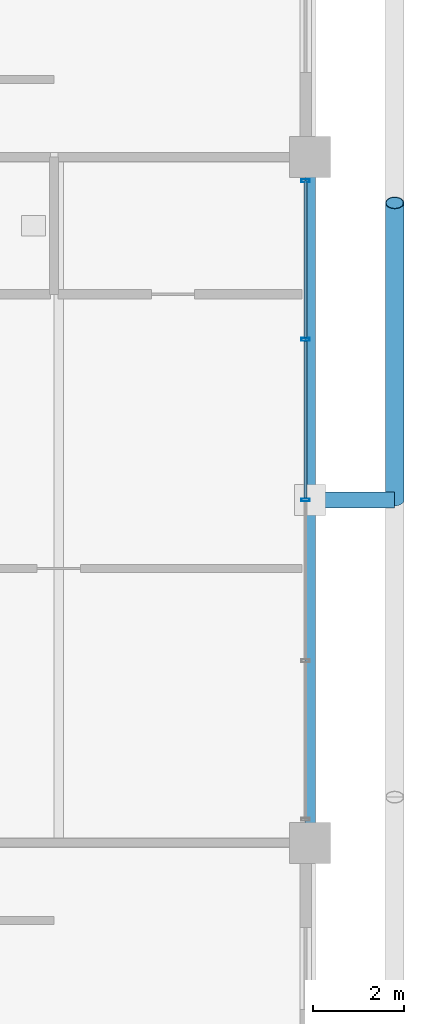
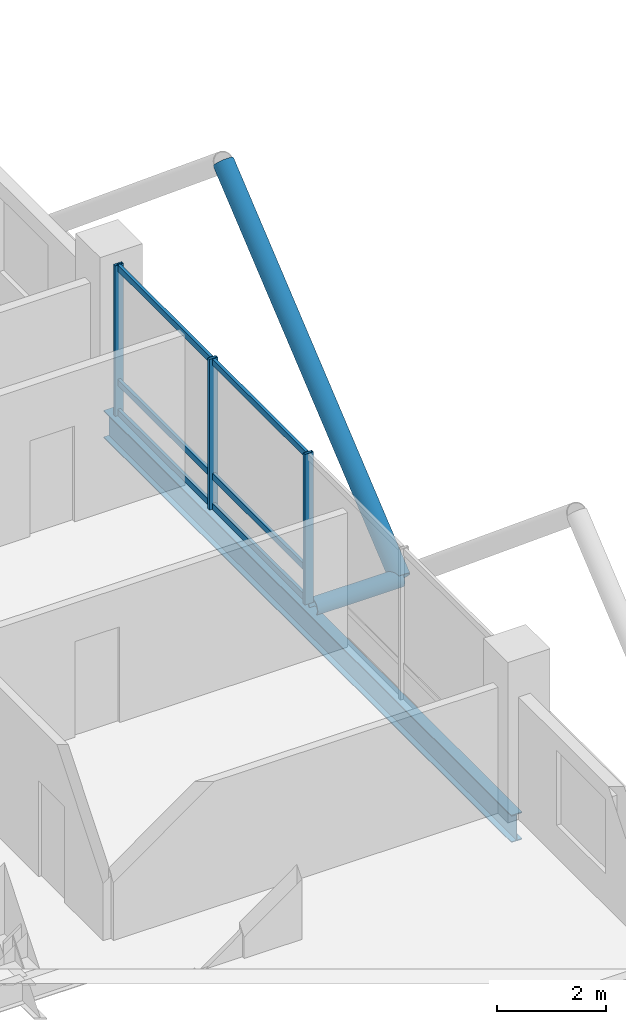
# One storey, part 13 of 24: 11 members, 1 beam, 1 element without a shape of its own.
"""IFC4 building model written with IfcOpenShell, lengths in metres."""

from ifc_helpers import new_model, si_unit, direction, frame, origin, origin_2d, place, context, subcontext, project, spatial, hollow_rectangle, hollow_circle, i_section, extrude, material, layer, layer_set, material_profile, profile_set, type_object, element, aggregate, save


model = new_model("IFC4")

# Units and contexts
model_context = context("Model", 3, precision=1e-05, world=origin(), true_north=direction((0.0, 1.0)))
body_context = subcontext(model_context, "Body", "Model", "MODEL_VIEW")
ifc_project = project(units=[si_unit("LENGTHUNIT", "METRE"), si_unit("AREAUNIT", "SQUARE_METRE"), si_unit("VOLUMEUNIT", "CUBIC_METRE"), si_unit("PLANEANGLEUNIT", "RADIAN"), si_unit("MASSUNIT", "GRAM", prefix="KILO")], contexts=[model_context])

# Site, building, storey
site_placement = place(None, origin())
site = spatial("IfcSite", under=ifc_project, at=site_placement, CompositionType="ELEMENT")
building_placement = place(site_placement, origin())
building = spatial("IfcBuilding", under=site, at=building_placement, Name="Barlavira Tower and Art Museum", CompositionType="ELEMENT")
storey_placement = place(building_placement, frame((0.0, 0.0, 272.699951171875)))
storey = spatial("IfcBuildingStorey", under=building, at=storey_placement, Name="L71", CompositionType="ELEMENT", Elevation=272.699951171875)

# Curtain wall, members
ifc_material_1 = material(Name="Low-iron coastal laminated glass", Category="glass")
ifc_layer = layer(ifc_material_1, 0.2099609375, Name="Low-iron coastal laminated glass")
ifc_layer_set = layer_set([ifc_layer], Name="Low-iron coastal laminated glass")
curtain_wall_type = type_object("IfcCurtainWallType", Name="Pale-Metal Unitised Curtain Wall Zone 4", PredefinedType="NOTDEFINED", material=ifc_layer_set)
curtain_wall_placement = place(storey_placement, origin())
curtain_wall = element("IfcCurtainWall", 1, at=curtain_wall_placement, inside=storey, type_object=curtain_wall_type, Name="L71 Curtain Wall CW4-L71-E-B3", PredefinedType="NOTDEFINED")
ifc_material_2 = material(Name="Pale anodised aluminium", Category="aluminium")
ifc_material_profile_1 = material_profile(ifc_material_2, hollow_rectangle(XDim=0.06494140625, YDim=0.179931640625, WallThickness=0.00390625, at=origin_2d()), Name="ALU-MULL 65x180x4")
ifc_profile_set_1 = profile_set([ifc_material_profile_1], Name="Pale anodised aluminium")
member_type_1 = type_object("IfcMemberType", Name="Curtain Wall Pale-Metal Mullion 65x180", PredefinedType="MULLION", material=ifc_profile_set_1)
member_1_placement = place(storey_placement, frame((16.89990234375, 0.0, 0.0), z_axis=(0.0, 0.0, 1.0), x_axis=(0.0, 1.0, 0.0)))
member_1 = element("IfcMember", 2, at=member_1_placement, type_object=member_type_1, Name="CW4-L71-E-B3 Mullion 2", PredefinedType="MULLION", context=body_context, shape_type="SweptSolid", body=[
    extrude(hollow_rectangle(XDim=0.06494140625, YDim=0.179931640625, WallThickness=0.00390625, at=origin_2d()), origin(), (0.0, 0.0, 1.0), 3.380126953125),
])
member_2_placement = place(storey_placement, frame((16.89990234375, 3.514892578125, 0.0), z_axis=(0.0, 0.0, 1.0), x_axis=(0.0, 1.0, 0.0)))
member_2 = element("IfcMember", 3, at=member_2_placement, type_object=member_type_1, Name="CW4-L71-E-B3 Mullion 3", PredefinedType="MULLION", context=body_context, shape_type="SweptSolid", body=[
    extrude(hollow_rectangle(XDim=0.06494140625, YDim=0.179931640625, WallThickness=0.00390625, at=origin_2d()), origin(), (0.0, 0.0, 1.0), 3.380126953125),
])
member_3_placement = place(storey_placement, frame((16.89990234375, 6.985107421875, 0.0), z_axis=(0.0, 0.0, 1.0), x_axis=(0.0, 1.0, 0.0)))
member_3 = element("IfcMember", 4, at=member_3_placement, type_object=member_type_1, Name="CW4-L71-E-B3 Mullion 4", PredefinedType="MULLION", context=body_context, shape_type="SweptSolid", body=[
    extrude(hollow_rectangle(XDim=0.06494140625, YDim=0.179931640625, WallThickness=0.00390625, at=origin_2d()), origin(), (0.0, 0.0, 1.0), 3.380126953125),
])
ifc_material_profile_2 = material_profile(ifc_material_2, hollow_rectangle(XDim=0.06494140625, YDim=0.139892578125, WallThickness=0.00390625, at=origin_2d()), Name="ALU-TRAN 65x140x4")
ifc_profile_set_2 = profile_set([ifc_material_profile_2], Name="Pale anodised aluminium")
member_type_2 = type_object("IfcMemberType", Name="Curtain Wall Pale-Metal Transom 65x140", PredefinedType="USERDEFINED", material=ifc_profile_set_2)
member_4_placement = place(storey_placement, frame((16.89990234375, 0.044921875, 0.070068359375), z_axis=(0.0, 1.0, 0.0), x_axis=(-1.0, 0.0, 0.0)))
member_4 = element("IfcMember", 5, at=member_4_placement, type_object=member_type_2, Name="CW4-L71-E-B3 Transom 2.1", ObjectType="TRANSOM", PredefinedType="USERDEFINED", context=body_context, shape_type="SweptSolid", body=[
    extrude(hollow_rectangle(XDim=0.06494140625, YDim=0.139892578125, WallThickness=0.00390625, at=origin_2d()), origin(), (0.0, 0.0, 1.0), 3.425048828125),
])
member_5_placement = place(storey_placement, frame((16.89990234375, 0.044921875, 0.744140625), z_axis=(0.0, 1.0, 0.0), x_axis=(-1.0, 0.0, 0.0)))
member_5 = element("IfcMember", 6, at=member_5_placement, type_object=member_type_2, Name="CW4-L71-E-B3 Transom 2.2", ObjectType="TRANSOM", PredefinedType="USERDEFINED", context=body_context, shape_type="SweptSolid", body=[
    extrude(hollow_rectangle(XDim=0.06494140625, YDim=0.139892578125, WallThickness=0.00390625, at=origin_2d()), origin(), (0.0, 0.0, 1.0), 3.425048828125),
])
member_6_placement = place(storey_placement, frame((16.89990234375, 0.044921875, 3.31005859375), z_axis=(0.0, 1.0, 0.0), x_axis=(-1.0, 0.0, 0.0)))
member_6 = element("IfcMember", 7, at=member_6_placement, type_object=member_type_2, Name="CW4-L71-E-B3 Transom 2.3", ObjectType="TRANSOM", PredefinedType="USERDEFINED", context=body_context, shape_type="SweptSolid", body=[
    extrude(hollow_rectangle(XDim=0.06494140625, YDim=0.139892578125, WallThickness=0.00390625, at=origin_2d()), origin(), (0.0, 0.0, 1.0), 3.425048828125),
])
member_7_placement = place(storey_placement, frame((16.89990234375, 3.56005859375, 0.070068359375), z_axis=(0.0, 1.0, 0.0), x_axis=(-1.0, 0.0, 0.0)))
member_7 = element("IfcMember", 8, at=member_7_placement, type_object=member_type_2, Name="CW4-L71-E-B3 Transom 3.1", ObjectType="TRANSOM", PredefinedType="USERDEFINED", context=body_context, shape_type="SweptSolid", body=[
    extrude(hollow_rectangle(XDim=0.06494140625, YDim=0.139892578125, WallThickness=0.00390625, at=origin_2d()), origin(), (0.0, 0.0, 1.0), 3.425048828125),
])
member_8_placement = place(storey_placement, frame((16.89990234375, 3.56005859375, 0.744140625), z_axis=(0.0, 1.0, 0.0), x_axis=(-1.0, 0.0, 0.0)))
member_8 = element("IfcMember", 9, at=member_8_placement, type_object=member_type_2, Name="CW4-L71-E-B3 Transom 3.2", ObjectType="TRANSOM", PredefinedType="USERDEFINED", context=body_context, shape_type="SweptSolid", body=[
    extrude(hollow_rectangle(XDim=0.06494140625, YDim=0.139892578125, WallThickness=0.00390625, at=origin_2d()), origin(), (0.0, 0.0, 1.0), 3.425048828125),
])
member_9_placement = place(storey_placement, frame((16.89990234375, 3.56005859375, 3.31005859375), z_axis=(0.0, 1.0, 0.0), x_axis=(-1.0, 0.0, 0.0)))
member_9 = element("IfcMember", 10, at=member_9_placement, type_object=member_type_2, Name="CW4-L71-E-B3 Transom 3.3", ObjectType="TRANSOM", PredefinedType="USERDEFINED", context=body_context, shape_type="SweptSolid", body=[
    extrude(hollow_rectangle(XDim=0.06494140625, YDim=0.139892578125, WallThickness=0.00390625, at=origin_2d()), origin(), (0.0, 0.0, 1.0), 3.425048828125),
])
aggregate(curtain_wall, [member_1, member_2, member_3, member_4, member_5, member_6, member_7, member_8, member_9])

# Members
ifc_material_3 = material(Name="Steel S355", Category="steel")
ifc_material_profile_3 = material_profile(ifc_material_3, hollow_circle(Radius=0.203125, WallThickness=0.01611328125, at=origin_2d()), Name="CHS 406.4x16.0")
ifc_profile_set_3 = profile_set([ifc_material_profile_3], Name="Steel S355")
member_type_3 = type_object("IfcMemberType", Name="Pale-Metal Exoskeleton Diagrid Tube CHS 406x16 Steel S355", PredefinedType="BRACE", material=ifc_profile_set_3)
member_10_placement = place(storey_placement, frame((18.85009765625, 0.0, -0.119873046875), z_axis=(0.0, 0.769196053329, 0.639012857104), x_axis=(-1.0, 0.0, 0.0)))
element("IfcMember", 11, at=member_10_placement, inside=storey, type_object=member_type_3, Name="L71 Exoskeleton Diagrid Tube E", PredefinedType="BRACE", context=body_context, shape_type="SweptSolid", body=[
    extrude(hollow_circle(Radius=0.203125, WallThickness=0.01611328125, at=origin_2d()), origin(), (0.0, 0.0, 1.0), 8.450439453125),
])
ifc_material_profile_4 = material_profile(ifc_material_3, hollow_circle(Radius=0.177734375, WallThickness=0.01611328125, at=origin_2d()), Name="CHS 355.6x16.0")
ifc_profile_set_4 = profile_set([ifc_material_profile_4], Name="Steel S355")
member_type_4 = type_object("IfcMemberType", Name="Pale-Metal Exoskeleton Tie Strut CHS 356x16 Steel S355", PredefinedType="STRUT", material=ifc_profile_set_4)
member_11_placement = place(storey_placement, frame((18.85009765625, 0.0, -0.119873046875), z_axis=(-1.0, 0.0, 0.0), x_axis=(0.0, -1.0, 0.0)))
element("IfcMember", 12, at=member_11_placement, inside=storey, type_object=member_type_4, Name="L71 Exoskeleton Tie Strut E2", PredefinedType="STRUT", context=body_context, shape_type="SweptSolid", body=[
    extrude(hollow_circle(Radius=0.177734375, WallThickness=0.01611328125, at=origin_2d()), origin(), (0.0, 0.0, 1.0), 1.85009765625),
])

# Beam
ifc_material_profile_5 = material_profile(ifc_material_3, i_section(OverallWidth=0.22998046875, OverallDepth=0.616943359375, WebThickness=0.01318359375, FlangeThickness=0.022216796875, at=origin_2d()), Name="W610x140.0")
ifc_profile_set_5 = profile_set([ifc_material_profile_5], Name="Steel S355")
beam_type = type_object("IfcBeamType", Name="Upper Shaft Spandrel Edge Beam W610x140 Steel S355", PredefinedType="SPANDREL", material=ifc_profile_set_5)
beam_placement = place(storey_placement, frame((17.0, -7.5, -0.528564453125), z_axis=(0.0, 1.0, 0.0), x_axis=(-1.0, 0.0, 0.0)))
element("IfcBeam", 13, at=beam_placement, inside=storey, type_object=beam_type, Name="L71 Spandrel 6", PredefinedType="SPANDREL", context=body_context, shape_type="SweptSolid", body=[
    extrude(i_section(OverallWidth=0.22998046875, OverallDepth=0.616943359375, WebThickness=0.01318359375, FlangeThickness=0.022216796875, at=origin_2d()), origin(), (0.0, 0.0, 1.0), 15.0),
])

save(model, "model.ifc")
